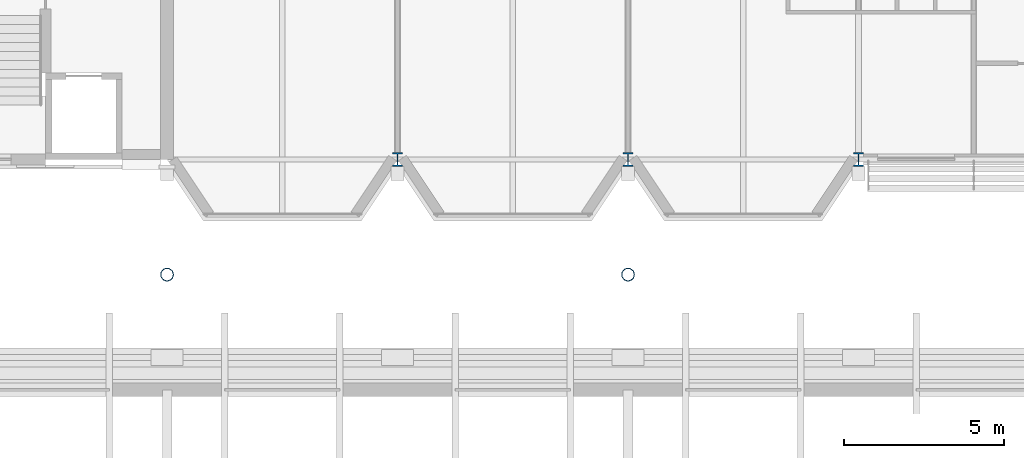
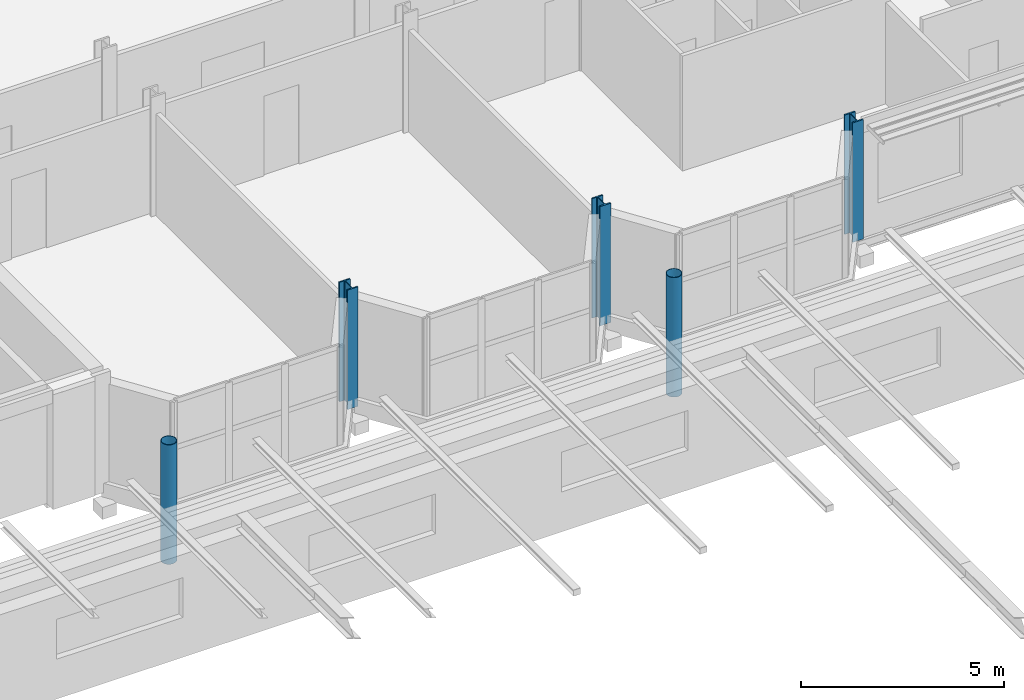
# One storey, part 9 of 110: 5 columns.
"""IFC4 building model written with IfcOpenShell, lengths in metres."""

from ifc_helpers import new_model, si_unit, direction, frame, origin, origin_2d, place, context, subcontext, project, spatial, hollow_circle, i_section, extrude, material, material_profile, profile_set, type_object, element, save


model = new_model("IFC4")

# Units and contexts
model_context = context("Model", 3, precision=1e-05, world=origin(), true_north=direction((0.0, 1.0)))
body_context = subcontext(model_context, "Body", "Model", "MODEL_VIEW")
ifc_project = project(units=[si_unit("LENGTHUNIT", "METRE"), si_unit("AREAUNIT", "SQUARE_METRE"), si_unit("VOLUMEUNIT", "CUBIC_METRE"), si_unit("PLANEANGLEUNIT", "RADIAN"), si_unit("MASSUNIT", "GRAM", prefix="KILO")], contexts=[model_context])

# Site, building, storey
site_placement = place(None, origin())
site = spatial("IfcSite", under=ifc_project, at=site_placement, CompositionType="ELEMENT")
building_placement = place(site_placement, origin())
building = spatial("IfcBuilding", under=site, at=building_placement, Name="Kupolbacken Congress Centre", CompositionType="ELEMENT")
storey_placement = place(building_placement, frame((0.0, 0.0, 18.0)))
storey = spatial("IfcBuildingStorey", under=building, at=storey_placement, Name="L05", CompositionType="ELEMENT", Elevation=18.0)

# Columns
ifc_material_1 = material(Name="Steel S355", Category="steel")
ifc_material_profile_1 = material_profile(ifc_material_1, i_section(OverallWidth=0.306884765625, OverallDepth=0.431884765625, WebThickness=0.02099609375, FlangeThickness=0.0400390625, FilletRadius=0.027099609375, at=origin_2d()), Name="HEM 400")
ifc_profile_set_1 = profile_set([ifc_material_profile_1], Name="Steel S355")
column_type_1 = type_object("IfcColumnType", Name="C02 column HEM 400", PredefinedType="COLUMN", material=ifc_profile_set_1)
for number, where, z_axis, x_axis, name in (
    (1, (115.199951171875, 122.39990234375, 0.0), (0.0, 0.0, 1.0), (1.0, 0.0, 0.0), "S/col/C-T-17T/L05"),
    (2, (122.39990234375, 122.39990234375, 0.0), (0.0, 0.0, 1.0), (1.0, 0.0, 0.0), "S/col/C-T-18T/L05"),
    (3, (129.60009765625, 122.39990234375, 0.0), (0.0, 0.0, 1.0), (1.0, 0.0, 0.0), "S/col/C-T-19T/L05"),
):
    element("IfcColumn", number, at=place(storey_placement, frame(where, z_axis=z_axis, x_axis=x_axis)), inside=storey, type_object=column_type_1, Name=name, PredefinedType="COLUMN", context=body_context, shape_type="SweptSolid", body=[
        extrude(i_section(OverallWidth=0.306884765625, OverallDepth=0.431884765625, WebThickness=0.02099609375, FlangeThickness=0.0400390625, FilletRadius=0.027099609375, at=origin_2d()), origin(), (0.0, 0.0, 1.0), 3.60009765625),
    ])
ifc_material_2 = material(Name="Steel S355", Category="steel")
ifc_material_profile_2 = material_profile(ifc_material_2, hollow_circle(Radius=0.203125, WallThickness=0.01611328125, at=origin_2d()), Name="CHS 406.4 x 16")
ifc_profile_set_2 = profile_set([ifc_material_profile_2], Name="Steel S355")
column_type_2 = type_object("IfcColumnType", Name="C15 roof mast CHS 406.4 x 16", PredefinedType="COLUMN", material=ifc_profile_set_2)
for number, where, z_axis, x_axis, name in (
    (4, (108.0, 118.800048828125, 0.0), (0.0, 0.0, 1.0), (1.0, 0.0, 0.0), "Roof mast M2N"),
    (5, (122.39990234375, 118.800048828125, 0.0), (0.0, 0.0, 1.0), (1.0, 0.0, 0.0), "Roof mast M3N"),
):
    element("IfcColumn", number, at=place(storey_placement, frame(where, z_axis=z_axis, x_axis=x_axis)), inside=storey, type_object=column_type_2, Name=name, PredefinedType="COLUMN", context=body_context, shape_type="SweptSolid", body=[
        extrude(hollow_circle(Radius=0.203125, WallThickness=0.01611328125, at=origin_2d()), origin(), (0.0, 0.0, 1.0), 3.60009765625),
    ])

save(model, "model.ifc")
